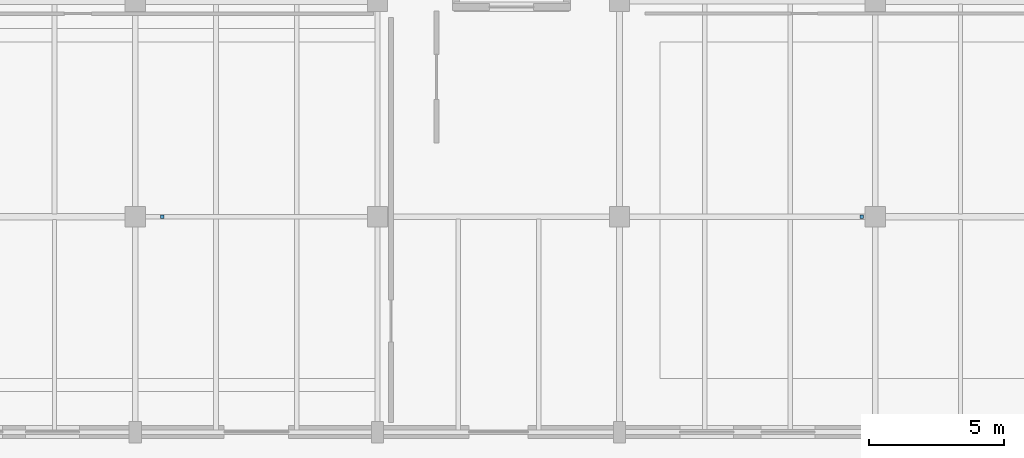
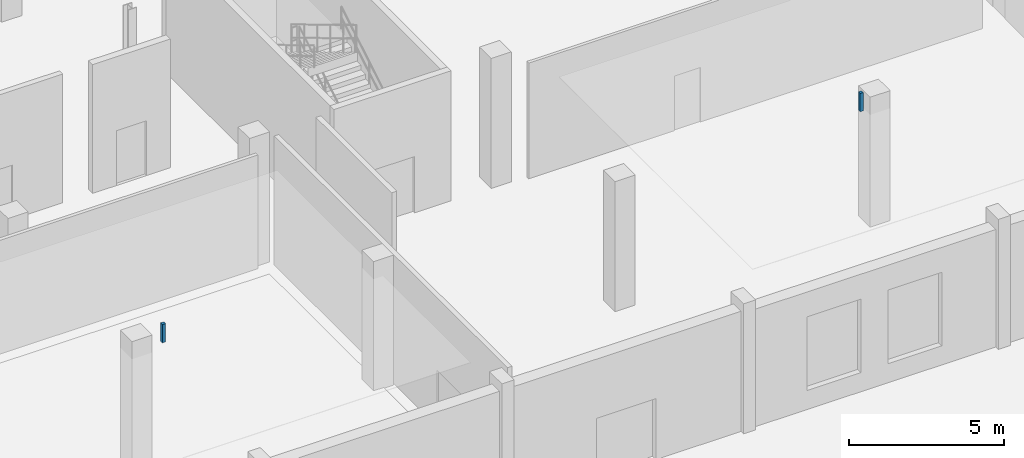
# One storey, part 92 of 103: 2 discrete accessories.
"""IFC4 building model written with IfcOpenShell, lengths in metres."""

import ifcopenshell
import ifcopenshell.guid

model = None  # the IFC model being written
_history = None  # IfcOwnerHistory: only IFC2X3 demands one
_inside = {}  # id of a spatial element -> (the spatial element, [elements in it])
_under = {}  # id of a project, library or spatial element -> (it, [spatial elements below it])
_declared = {}  # id of a project -> (the project, [libraries it declares])
_typed = {}  # id of a type object -> (the type object, [elements of that type])
_made_of = {}  # id of a material, layer set ... -> (it, [elements and type objects made of it])


def new_model(schema):
    """Start an empty IFC model of exactly this schema.

    Asked for "IFC4X3", IfcOpenShell would pick the latest addendum, in which some entities
    have other attributes; the version numbers below select the first issue.
    IFC2X3 requires an IfcOwnerHistory on every rooted entity: one is made here for all.
    """
    global model, _history
    if schema == "IFC4X3":
        model = ifcopenshell.file(schema_version=(4, 3, 0, 0))
    else:
        model = ifcopenshell.file(schema=schema)
    _inside.clear()
    _under.clear()
    _declared.clear()
    _typed.clear()
    _made_of.clear()
    _history = None
    if model.schema == "IFC2X3":
        org = make("IfcOrganization", Name="unknown")
        user = make(
            "IfcPersonAndOrganization",
            ThePerson=make("IfcPerson", FamilyName="unknown"),
            TheOrganization=org,
        )
        app = make(
            "IfcApplication",
            ApplicationDeveloper=org,
            Version="unknown",
            ApplicationFullName="unknown",
            ApplicationIdentifier="unknown",
        )
        _history = make(
            "IfcOwnerHistory",
            OwningUser=user,
            OwningApplication=app,
            ChangeAction="ADDED",
            CreationDate=0,
        )
    return model


def make(cls, **values):
    """One entity of the class cls with the attributes given. An attribute that is None is left unset."""
    return model.create_entity(
        cls, **{name: value for name, value in values.items() if value is not None}
    )


def rooted(cls, **values):
    """An entity with a GlobalId (a new one), such as an element, a storey or a relation."""
    return make(cls, GlobalId=ifcopenshell.guid.new(), OwnerHistory=_history, **values)


def si_unit(unit_type, name, prefix=None):
    """IfcSIUnit, for example si_unit("LENGTHUNIT", "METRE", prefix="MILLI")."""
    return make("IfcSIUnit", UnitType=unit_type, Prefix=prefix, Name=name)


def assignment(units):
    """IfcUnitAssignment: the units of a project."""
    return None if units is None else make("IfcUnitAssignment", Units=units)


def point(xyz):
    """IfcCartesianPoint."""
    return None if xyz is None else make("IfcCartesianPoint", Coordinates=xyz)


def direction(xyz):
    """IfcDirection."""
    return None if xyz is None else make("IfcDirection", DirectionRatios=xyz)


def frame(location, z_axis=None, x_axis=None):
    """IfcAxis2Placement3D, a coordinate frame: its origin and axes. An axis left out is left unset."""
    return make(
        "IfcAxis2Placement3D",
        Location=point(location),
        Axis=direction(z_axis),
        RefDirection=direction(x_axis),
    )


def frame_2d(location, x_axis=None):
    """IfcAxis2Placement2D, a coordinate frame in the plane: its origin and x axis."""
    return make(
        "IfcAxis2Placement2D", Location=point(location), RefDirection=direction(x_axis)
    )


def origin():
    """The frame at (0, 0, 0) with its axes left unset."""
    return frame((0.0, 0.0, 0.0))


def origin_2d():
    """The frame at (0, 0) in the plane with its x axis left unset."""
    return frame_2d((0.0, 0.0))


def place(relative_to, where):
    """IfcLocalPlacement: puts the frame where relative to a parent placement (None: the world)."""
    return make(
        "IfcLocalPlacement", PlacementRelTo=relative_to, RelativePlacement=where
    )


def context(
    kind, dimensions, precision=None, world=None, true_north=None, identifier=None
):
    """IfcGeometricRepresentationContext, for example the 3D "Model" context."""
    return make(
        "IfcGeometricRepresentationContext",
        ContextIdentifier=identifier,
        ContextType=kind,
        CoordinateSpaceDimension=dimensions,
        Precision=precision,
        WorldCoordinateSystem=world,
        TrueNorth=true_north,
    )


def subcontext(parent, identifier, kind, view, scale=None):
    """IfcGeometricRepresentationSubContext, for example "Body" below "Model"."""
    return make(
        "IfcGeometricRepresentationSubContext",
        ContextIdentifier=identifier,
        ContextType=kind,
        ParentContext=parent,
        TargetScale=scale,
        TargetView=view,
    )


def project(units=None, contexts=None):
    """IfcProject with its units and contexts."""
    return rooted(
        "IfcProject",
        Name="project",
        RepresentationContexts=contexts,
        UnitsInContext=assignment(units),
    )


def spatial(cls, under=None, at=None, **own):
    """A site, building, storey or space (cls), placed at a placement, below another one or the project."""
    s = rooted(cls, ObjectPlacement=at, **own)
    if under is not None:
        _under.setdefault(under.id(), (under, []))[1].append(s)
    return s


def profile(cls, at=None, kind="AREA", **sizes):
    """A parametric profile (cls). Its sizes go by their IFC names, for example OverallWidth=200.0."""
    return make(cls, ProfileType=kind, Position=at, **sizes)


def rectangle(**sizes):
    """IfcRectangleProfileDef."""
    return profile("IfcRectangleProfileDef", **sizes)


def extrude(swept, where, along, depth):
    """IfcExtrudedAreaSolid: the profile swept, set in the frame where, extruded along a direction by depth."""
    return make(
        "IfcExtrudedAreaSolid",
        SweptArea=swept,
        Position=where,
        ExtrudedDirection=direction(along),
        Depth=depth,
    )


def shape(context_of_items, identifier, shape_type, items):
    """IfcShapeRepresentation: the items that make up one representation, for example the "Body"."""
    return make(
        "IfcShapeRepresentation",
        ContextOfItems=context_of_items,
        RepresentationIdentifier=identifier,
        RepresentationType=shape_type,
        Items=items,
    )


def material(Name=None, Category=None):
    """IfcMaterial."""
    return make("IfcMaterial", Name=Name, Category=Category)


def made_of(thing, what):
    """Note that an element or type object is made of a material, layer set ...; save() writes the relation."""
    if what is not None:
        _made_of.setdefault(what.id(), (what, []))[1].append(thing)
    return thing


def type_object(cls, material=None, **own):
    """A type object (cls), such as IfcWallType, which elements share."""
    return made_of(rooted(cls, **own), material)


def element(
    cls,
    number,
    at=None,
    inside=None,
    cuts=None,
    type_object=None,
    material=None,
    context=None,
    identifier="Body",
    shape_type=None,
    held_by="IfcProductDefinitionShape",
    body=None,
    shapes=None,
    **own,
):
    """One element of the class cls, such as IfcWall. Its Tag is "e" and its number.

    at: its placement. inside: the storey or other place that contains it. cuts: it is an
    opening in that element (IfcRelVoidsElement). A single representation is given by context,
    identifier, shape_type and body (its items); several are given by shapes. held_by: the class
    of the entity that holds the representations. save() writes the other relations.
    """
    e = rooted(cls, Tag="e%d" % number, ObjectPlacement=at, **own)
    if body is not None:
        shapes = [shape(context, identifier, shape_type, body)]
    if shapes is not None:
        e.Representation = make(held_by, Representations=shapes)
    if inside is not None:
        _inside.setdefault(inside.id(), (inside, []))[1].append(e)
    if cuts is not None:
        rooted(
            "IfcRelVoidsElement", RelatingBuildingElement=cuts, RelatedOpeningElement=e
        )
    if type_object is not None:
        _typed.setdefault(type_object.id(), (type_object, []))[1].append(e)
    return made_of(e, material)


def aggregate(whole, parts):
    """IfcRelAggregates: a whole, such as a stair, and the parts it consists of."""
    return rooted("IfcRelAggregates", RelatingObject=whole, RelatedObjects=parts)


def save(model, path):
    """Write the relations noted so far, then the file.

    IfcRelAggregates (storeys below a building ...), IfcRelContainedInSpatialStructure (elements
    in a storey), IfcRelDefinesByType, IfcRelAssociatesMaterial and IfcRelDeclares: one each for
    every whole, place, type object, material and project.
    """
    for whole, parts in _under.values():
        aggregate(whole, parts)
    for where, things in _inside.values():
        rooted(
            "IfcRelContainedInSpatialStructure",
            RelatedElements=things,
            RelatingStructure=where,
        )
    for kind, things in _typed.values():
        rooted("IfcRelDefinesByType", RelatedObjects=things, RelatingType=kind)
    for what, things in _made_of.values():
        rooted("IfcRelAssociatesMaterial", RelatedObjects=things, RelatingMaterial=what)
    for by, libraries in _declared.values():
        rooted("IfcRelDeclares", RelatingContext=by, RelatedDefinitions=libraries)
    model.write(path)


model = new_model("IFC4")

# Units and contexts
model_context = context("Model", 3, precision=1e-05, world=origin(), true_north=direction((0.0, 1.0)))
body_context = subcontext(model_context, "Body", "Model", "MODEL_VIEW")
ifc_project = project(units=[si_unit("LENGTHUNIT", "METRE"), si_unit("AREAUNIT", "SQUARE_METRE"), si_unit("VOLUMEUNIT", "CUBIC_METRE"), si_unit("PLANEANGLEUNIT", "RADIAN"), si_unit("MASSUNIT", "GRAM", prefix="KILO")], contexts=[model_context])

# Site, building, storey
site_placement = place(None, origin())
site = spatial("IfcSite", under=ifc_project, at=site_placement, CompositionType="ELEMENT")
building_placement = place(site_placement, origin())
building = spatial("IfcBuilding", under=site, at=building_placement, Name="Marnock Terrace Opera House", CompositionType="ELEMENT")
storey_placement = place(building_placement, origin())
storey = spatial("IfcBuildingStorey", under=building, at=storey_placement, Name="L00", CompositionType="ELEMENT", Elevation=0.0)

# Discrete accessories
ifc_material = material(Name="Galvanised architectural steel framing", Category="steel")
discrete_accessory_type = type_object("IfcDiscreteAccessoryType", Name="ACC-HANGER-ROD", PredefinedType="BRACKET", material=ifc_material)
for number, where, z_axis, x_axis, name in (
    (1, (128.0, 16.0, 4.419921875), (0.0, 0.0, 1.0), (1.0, 0.0, 0.0), "CLG-CAFE-01 acoustic isolation hanger"),
    (2, (154.0, 16.0, 4.419921875), (0.0, 0.0, 1.0), (1.0, 0.0, 0.0), "CLG-SHOP-01 acoustic isolation hanger"),
):
    element("IfcDiscreteAccessory", number, at=place(storey_placement, frame(where, z_axis=z_axis, x_axis=x_axis)), inside=storey, type_object=discrete_accessory_type, Name=name, PredefinedType="BRACKET", context=body_context, shape_type="SweptSolid", body=[
        extrude(rectangle(XDim=0.1201171875, YDim=0.1201171875, at=origin_2d()), origin(), (0.0, 0.0, 1.0), 0.719970703125),
    ])

save(model, "model.ifc")
